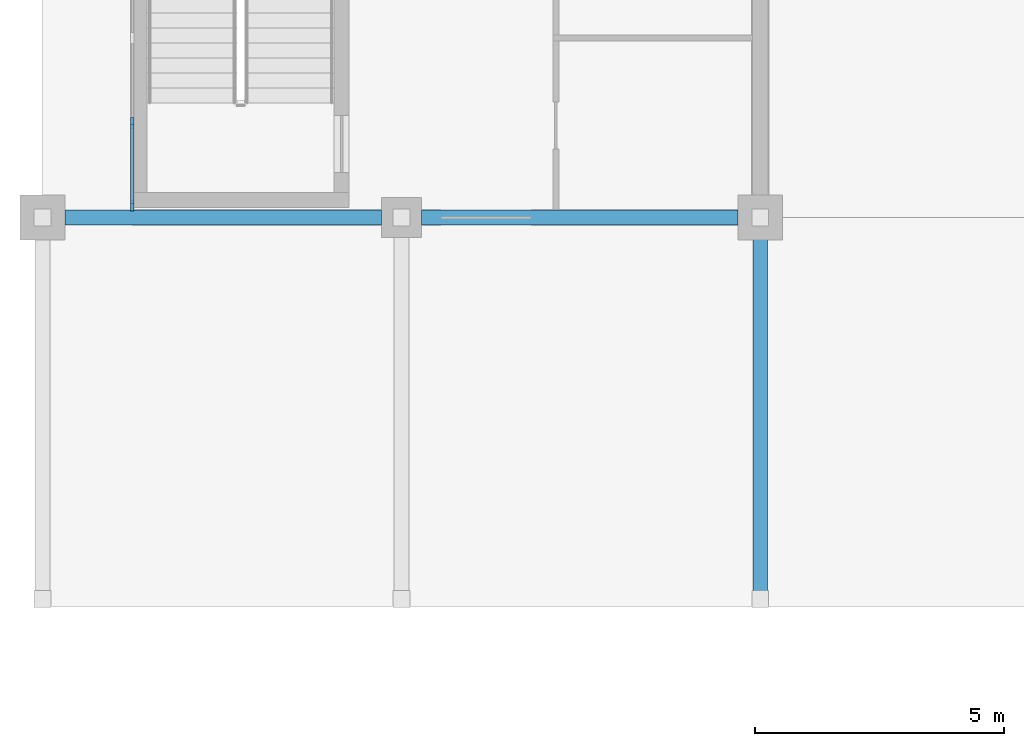
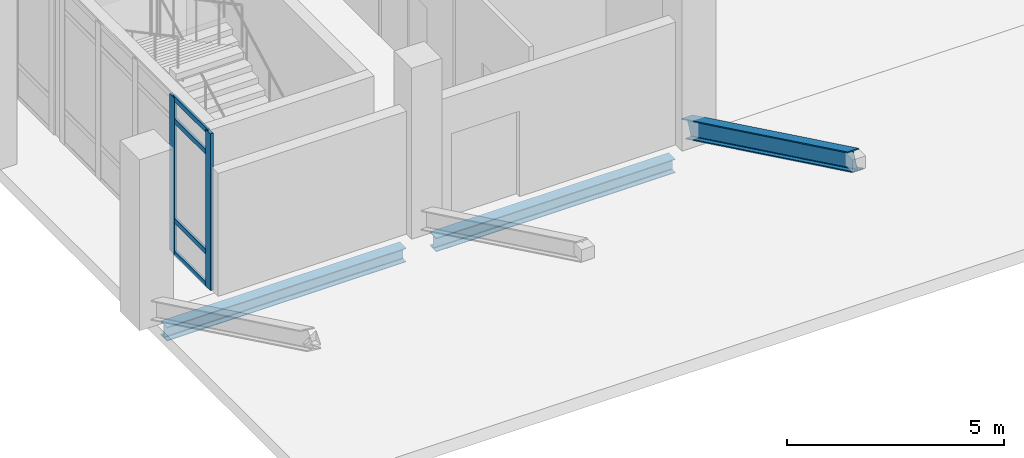
# One storey, part 7 of 59: 7 members, 2 beams, 1 element without a shape of its own.
"""IFC4 building model written with IfcOpenShell, lengths in metres."""

from ifc_helpers import new_model, si_unit, direction, frame, origin, origin_2d, place, context, subcontext, project, spatial, rectangle, i_section, extrude, material, layer, layer_set, material_profile, profile_set, type_object, element, aggregate, save


model = new_model("IFC4")

# Units and contexts
model_context = context("Model", 3, precision=1e-05, world=origin(), true_north=direction((0.0, 1.0)))
body_context = subcontext(model_context, "Body", "Model", "MODEL_VIEW")
ifc_project = project(units=[si_unit("LENGTHUNIT", "METRE"), si_unit("AREAUNIT", "SQUARE_METRE"), si_unit("VOLUMEUNIT", "CUBIC_METRE"), si_unit("PLANEANGLEUNIT", "RADIAN"), si_unit("MASSUNIT", "GRAM", prefix="KILO")], contexts=[model_context])

# Site, building, storey
site_placement = place(None, origin())
site = spatial("IfcSite", under=ifc_project, at=site_placement, CompositionType="ELEMENT")
building_placement = place(site_placement, origin())
building = spatial("IfcBuilding", under=site, at=building_placement, Name="Valkovuoma Quantum and Materials Research Institute", CompositionType="ELEMENT")
storey_placement = place(building_placement, origin())
storey = spatial("IfcBuildingStorey", under=building, at=storey_placement, Name="L00", CompositionType="ELEMENT", Elevation=0.0)

# Beams
ifc_material_1 = material(Name="Steel S355J2", Category="steel")
ifc_material_profile_1 = material_profile(ifc_material_1, i_section(OverallWidth=0.300048828125, OverallDepth=0.389892578125, WebThickness=0.010986328125, FlangeThickness=0.01904296875, FilletRadius=0.027099609375, at=origin_2d()), Name="Steel S355J2")
ifc_profile_set_1 = profile_set([ifc_material_profile_1], Name="Steel S355J2")
beam_type = type_object("IfcBeamType", Name="Beam-B-HEA400", PredefinedType="SPANDREL", material=ifc_profile_set_1)
beam_1_placement = place(storey_placement, frame((0.449951171875, 28.800048828125, -0.594970703125), z_axis=(1.0, 0.0, 0.0), x_axis=(0.0, 1.0, 0.0)))
element("IfcBeam", 1, at=beam_1_placement, inside=storey, type_object=beam_type, Name="L00 beam X-0019", PredefinedType="SPANDREL", context=body_context, shape_type="SweptSolid", body=[
    extrude(i_section(OverallWidth=0.300048828125, OverallDepth=0.389892578125, WebThickness=0.010986328125, FlangeThickness=0.01904296875, FilletRadius=0.027099609375, at=origin_2d()), origin(), (0.0, 0.0, 1.0), 6.35009765625),
])
beam_2_placement = place(storey_placement, frame((7.60009765625, 28.800048828125, -0.594970703125), z_axis=(1.0, 0.0, 0.0), x_axis=(0.0, 1.0, 0.0)))
element("IfcBeam", 2, at=beam_2_placement, inside=storey, type_object=beam_type, Name="L00 beam X-0020", PredefinedType="SPANDREL", context=body_context, shape_type="SweptSolid", body=[
    extrude(i_section(OverallWidth=0.300048828125, OverallDepth=0.389892578125, WebThickness=0.010986328125, FlangeThickness=0.01904296875, FilletRadius=0.027099609375, at=origin_2d()), origin(), (0.0, 0.0, 1.0), 6.349853515625),
])

# Curtain wall, members
ifc_material_2 = material(Name="Thermally broken aluminium and triple low-E glazing", Category="aluminium")
ifc_layer = layer(ifc_material_2, 0.219970703125)
ifc_layer_set = layer_set([ifc_layer], Name="Thermally broken aluminium and triple low-E glazing")
curtain_wall_type = type_object("IfcCurtainWallType", Name="CW-CW-03", PredefinedType="NOTDEFINED", material=ifc_layer_set)
curtain_wall_placement = place(storey_placement, origin())
curtain_wall = element("IfcCurtainWall", 3, at=curtain_wall_placement, inside=storey, type_object=curtain_wall_type, Name="L00 curtain wall CW-L00-V5-04", PredefinedType="NOTDEFINED")
ifc_material_3 = material(Name="Anodised aluminium 6060-T66", Category="aluminium")
ifc_material_profile_2 = material_profile(ifc_material_3, rectangle(XDim=0.074951171875, YDim=0.219970703125, at=origin_2d()), Name="Anodised aluminium 6060-T66")
ifc_profile_set_2 = profile_set([ifc_material_profile_2], Name="Anodised aluminium 6060-T66")
member_type_1 = type_object("IfcMemberType", Name="CWMull-CWM-02", PredefinedType="MULLION", material=ifc_profile_set_2)
member_1_placement = place(storey_placement, frame((1.800048828125, 29.03759765625, 0.0), z_axis=(0.0, 0.0, 1.0), x_axis=(-1.0, 0.0, 0.0)))
member_1 = element("IfcMember", 4, at=member_1_placement, type_object=member_type_1, Name="CW-03 mullion 1", PredefinedType="MULLION", context=body_context, shape_type="SweptSolid", body=[
    extrude(rectangle(XDim=0.074951171875, YDim=0.219970703125, at=origin_2d()), origin(), (0.0, 0.0, 1.0), 4.39990234375),
])
member_2_placement = place(storey_placement, frame((1.800048828125, 30.699951171875, 0.0), z_axis=(0.0, 0.0, 1.0), x_axis=(-1.0, 0.0, 0.0)))
member_2 = element("IfcMember", 5, at=member_2_placement, type_object=member_type_1, Name="CW-03 mullion 2", PredefinedType="MULLION", context=body_context, shape_type="SweptSolid", body=[
    extrude(rectangle(XDim=0.074951171875, YDim=0.219970703125, at=origin_2d()), origin(), (0.0, 0.0, 1.0), 4.39990234375),
])
ifc_material_4 = material(Name="Anodised aluminium 6060-T66", Category="aluminium")
ifc_material_profile_3 = material_profile(ifc_material_4, rectangle(XDim=0.06494140625, YDim=0.139892578125, at=origin_2d()), Name="Anodised aluminium 6060-T66")
ifc_profile_set_3 = profile_set([ifc_material_profile_3], Name="Anodised aluminium 6060-T66")
member_type_2 = type_object("IfcMemberType", Name="CWTran-CWT-01", PredefinedType="USERDEFINED", material=ifc_profile_set_3)
member_3_placement = place(storey_placement, frame((1.800048828125, 29.074951171875, 0.032470703125), z_axis=(0.0, 1.0, 0.0), x_axis=(-1.0, 0.0, 0.0)))
member_3 = element("IfcMember", 6, at=member_3_placement, type_object=member_type_2, Name="CW-03 transom 1.1", ObjectType="TRANSOM", PredefinedType="USERDEFINED", context=body_context, shape_type="SweptSolid", body=[
    extrude(rectangle(XDim=0.06494140625, YDim=0.139892578125, at=origin_2d()), origin(), (0.0, 0.0, 1.0), 1.587646484375),
])
member_4_placement = place(storey_placement, frame((1.800048828125, 29.074951171875, 0.949951171875), z_axis=(0.0, 1.0, 0.0), x_axis=(-1.0, 0.0, 0.0)))
member_4 = element("IfcMember", 7, at=member_4_placement, type_object=member_type_2, Name="CW-03 transom 1.2", ObjectType="TRANSOM", PredefinedType="USERDEFINED", context=body_context, shape_type="SweptSolid", body=[
    extrude(rectangle(XDim=0.06494140625, YDim=0.139892578125, at=origin_2d()), origin(), (0.0, 0.0, 1.0), 1.587646484375),
])
member_5_placement = place(storey_placement, frame((1.800048828125, 29.074951171875, 3.75), z_axis=(0.0, 1.0, 0.0), x_axis=(-1.0, 0.0, 0.0)))
member_5 = element("IfcMember", 8, at=member_5_placement, type_object=member_type_2, Name="CW-03 transom 1.3", ObjectType="TRANSOM", PredefinedType="USERDEFINED", context=body_context, shape_type="SweptSolid", body=[
    extrude(rectangle(XDim=0.06494140625, YDim=0.139892578125, at=origin_2d()), origin(), (0.0, 0.0, 1.0), 1.587646484375),
])
member_6_placement = place(storey_placement, frame((1.800048828125, 29.074951171875, 4.367431640625), z_axis=(0.0, 1.0, 0.0), x_axis=(-1.0, 0.0, 0.0)))
member_6 = element("IfcMember", 9, at=member_6_placement, type_object=member_type_2, Name="CW-03 transom 1.4", ObjectType="TRANSOM", PredefinedType="USERDEFINED", context=body_context, shape_type="SweptSolid", body=[
    extrude(rectangle(XDim=0.06494140625, YDim=0.139892578125, at=origin_2d()), origin(), (0.0, 0.0, 1.0), 1.587646484375),
])
aggregate(curtain_wall, [member_1, member_2, member_3, member_4, member_5, member_6])

# Member
ifc_material_5 = material(Name="Steel S355J2", Category="steel")
ifc_material_profile_4 = material_profile(ifc_material_5, i_section(OverallWidth=0.300048828125, OverallDepth=0.5, WebThickness=0.014404296875, FlangeThickness=0.028076171875, FilletRadius=0.027099609375, at=origin_2d()), Name="Steel S355J2")
ifc_profile_set_4 = profile_set([ifc_material_profile_4], Name="Steel S355J2")
member_type_3 = type_object("IfcMemberType", Name="Mem-M-CHD500", PredefinedType="CHORD", material=ifc_profile_set_4)
member_7_placement = place(storey_placement, frame((14.39990234375, 28.800048828125, 0.25), z_axis=(0.0, -0.900239175025, 0.435395713978), x_axis=(1.0, 0.0, 0.0)))
element("IfcMember", 10, at=member_7_placement, inside=storey, type_object=member_type_3, Name="L00 cantilever raking strut 2", PredefinedType="CHORD", context=body_context, shape_type="SweptSolid", body=[
    extrude(i_section(OverallWidth=0.300048828125, OverallDepth=0.5, WebThickness=0.014404296875, FlangeThickness=0.028076171875, FilletRadius=0.027099609375, at=origin_2d()), origin(), (0.0, 0.0, 1.0), 8.497802734375),
])

save(model, "model.ifc")
